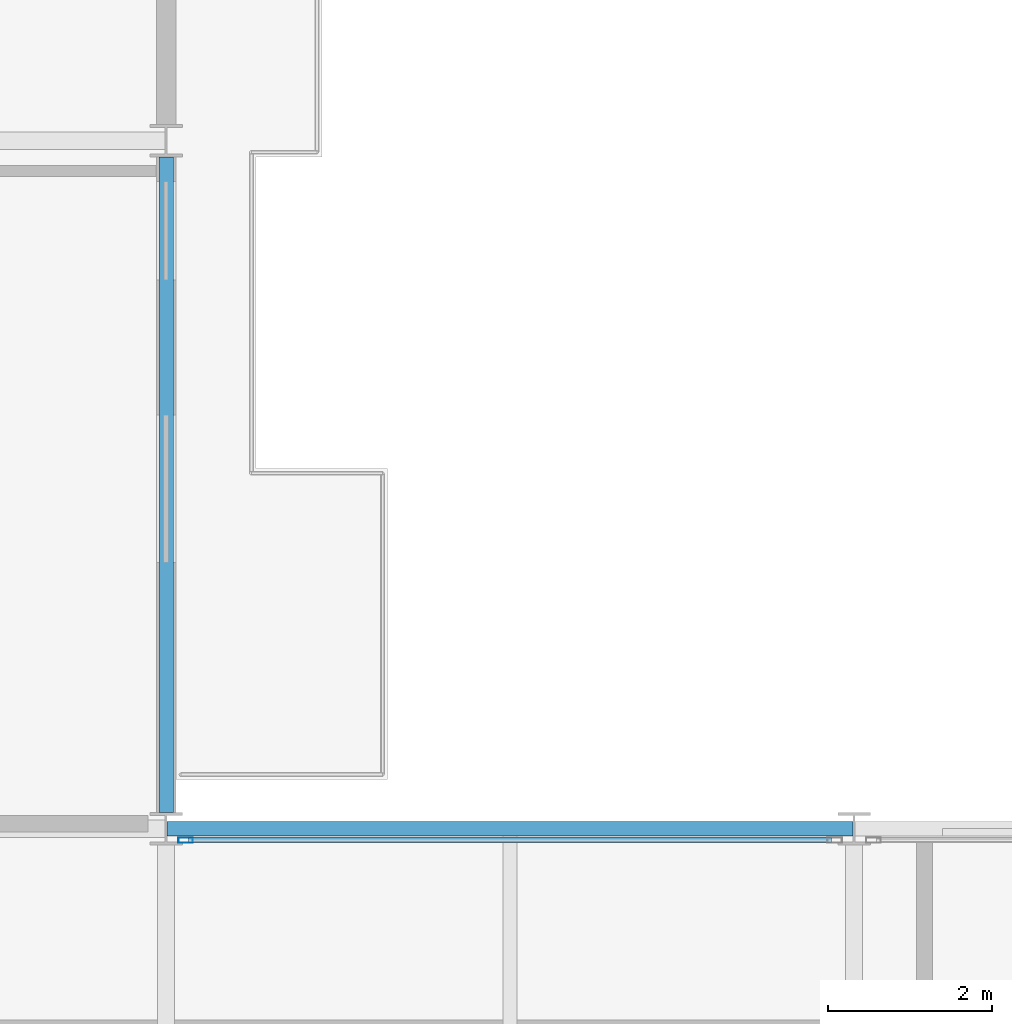
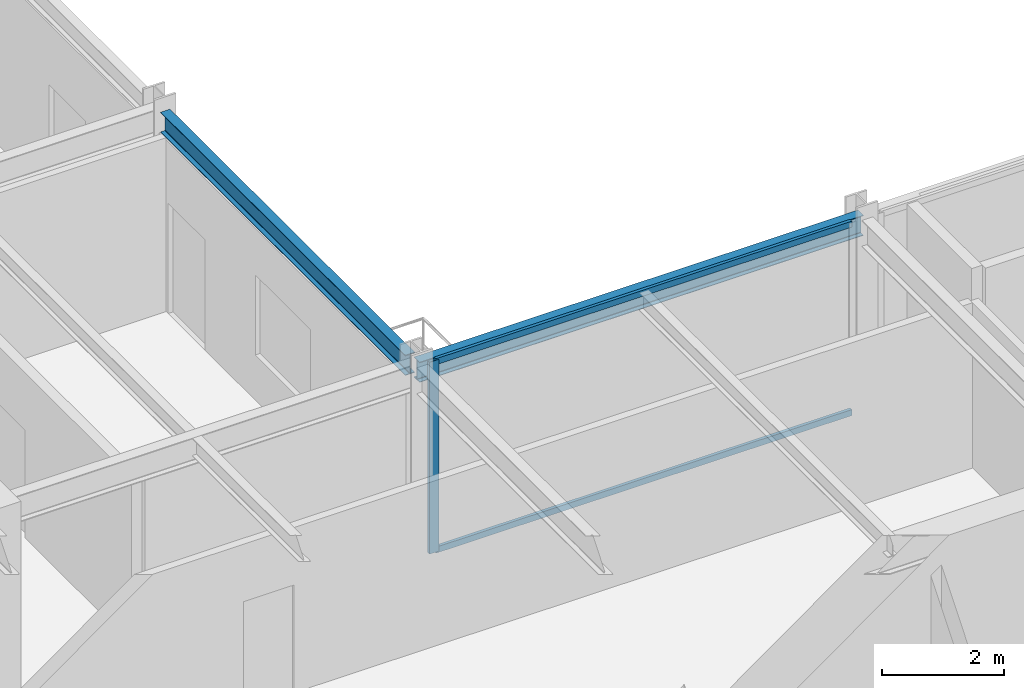
# One storey, part 12 of 29: 3 members, 2 beams, 1 element without a shape of its own.
"""IFC4 building model written with IfcOpenShell, lengths in metres."""

from ifc_helpers import new_model, si_unit, direction, frame, origin, origin_2d, place, context, subcontext, project, spatial, hollow_rectangle, i_section, extrude, material, layer, layer_set, material_profile, profile_set, type_object, element, aggregate, save


model = new_model("IFC4")

# Units and contexts
model_context = context("Model", 3, precision=1e-05, world=origin(), true_north=direction((0.0, 1.0)))
body_context = subcontext(model_context, "Body", "Model", "MODEL_VIEW")
ifc_project = project(units=[si_unit("LENGTHUNIT", "METRE"), si_unit("AREAUNIT", "SQUARE_METRE"), si_unit("VOLUMEUNIT", "CUBIC_METRE"), si_unit("PLANEANGLEUNIT", "RADIAN"), si_unit("MASSUNIT", "GRAM", prefix="KILO")], contexts=[model_context])

# Site, building, storey
site_placement = place(None, origin())
site = spatial("IfcSite", under=ifc_project, at=site_placement, CompositionType="ELEMENT")
building_placement = place(site_placement, origin())
building = spatial("IfcBuilding", under=site, at=building_placement, Name="Nerrivon Quay Data Exchange", CompositionType="ELEMENT")
storey_placement = place(building_placement, frame((0.0, 0.0, 133.60009765625)))
storey = spatial("IfcBuildingStorey", under=building, at=storey_placement, Name="L31", CompositionType="ELEMENT", Elevation=133.60009765625)

# Beams
ifc_material_1 = material(Name="Steel Grade 350", Category="steel")
ifc_material_profile_1 = material_profile(ifc_material_1, i_section(OverallWidth=0.177978515625, OverallDepth=0.403076171875, WebThickness=0.007568359375, FlangeThickness=0.010986328125, FilletRadius=0.011474609375, at=origin_2d()), Name="410UB53.7")
ifc_profile_set_1 = profile_set([ifc_material_profile_1], Name="Steel Grade 350")
beam_type = type_object("IfcBeamType", Name="BM-SP2-410UB54", PredefinedType="SPANDREL", material=ifc_profile_set_1)
beam_1_placement = place(storey_placement, frame((25.21240234375, 25.199951171875, 3.623291015625), z_axis=(1.0, 0.0, 0.0), x_axis=(0.0, 1.0, 0.0)))
element("IfcBeam", 1, at=beam_1_placement, inside=storey, type_object=beam_type, Name="L31 EW Girder Y=25.2 (25.2..33.6)", PredefinedType="SPANDREL", context=body_context, shape_type="SweptSolid", body=[
    extrude(i_section(OverallWidth=0.177978515625, OverallDepth=0.403076171875, WebThickness=0.007568359375, FlangeThickness=0.010986328125, FilletRadius=0.011474609375, at=origin_2d()), origin(), (0.0, 0.0, 1.0), 8.375),
])
beam_2_placement = place(storey_placement, frame((25.199951171875, 25.39990234375, 3.623291015625), z_axis=(0.0, 1.0, 0.0), x_axis=(-1.0, 0.0, 0.0)))
element("IfcBeam", 2, at=beam_2_placement, inside=storey, type_object=beam_type, Name="L31 NS Girder X=25.2 (25.2..33.6)", PredefinedType="SPANDREL", context=body_context, shape_type="SweptSolid", body=[
    extrude(i_section(OverallWidth=0.177978515625, OverallDepth=0.403076171875, WebThickness=0.007568359375, FlangeThickness=0.010986328125, FilletRadius=0.011474609375, at=origin_2d()), origin(), (0.0, 0.0, 1.0), 8.0),
])

# Curtain wall, members
ifc_material_2 = material(Name="Anodised aluminium 6063-T6", Category="aluminium")
ifc_layer = layer(ifc_material_2, 0.2099609375)
ifc_layer_set = layer_set([ifc_layer], Name="Anodised aluminium 6063-T6")
curtain_wall_type = type_object("IfcCurtainWallType", Name="CW-SYS-02", PredefinedType="NOTDEFINED", material=ifc_layer_set)
curtain_wall_placement = place(storey_placement, origin())
curtain_wall = element("IfcCurtainWall", 3, at=curtain_wall_placement, inside=storey, type_object=curtain_wall_type, Name="L31 Unitised Curtain Wall 26", PredefinedType="NOTDEFINED")
ifc_material_profile_2 = material_profile(ifc_material_2, hollow_rectangle(XDim=0.06494140625, YDim=0.179931640625, WallThickness=0.00341796875, at=origin_2d()), Name="ALU-MULL-180x65")
ifc_profile_set_2 = profile_set([ifc_material_profile_2], Name="Anodised aluminium 6063-T6")
member_type_1 = type_object("IfcMemberType", Name="CWM-180x65", PredefinedType="MULLION", material=ifc_profile_set_2)
member_1_placement = place(storey_placement, frame((25.4375, 25.06005859375, 0.0), z_axis=(0.0, 0.0, 1.0), x_axis=(0.0, 1.0, 0.0)))
member_1 = element("IfcMember", 4, at=member_1_placement, type_object=member_type_1, Name="CW02 mullion 1", PredefinedType="MULLION", context=body_context, shape_type="SweptSolid", body=[
    extrude(hollow_rectangle(XDim=0.06494140625, YDim=0.179931640625, WallThickness=0.00341796875, at=origin_2d()), origin(), (0.0, 0.0, 1.0), 3.824951171875),
])
ifc_material_profile_3 = material_profile(ifc_material_2, hollow_rectangle(XDim=0.06005859375, YDim=0.1201171875, WallThickness=0.003173828125, at=origin_2d()), Name="ALU-TRAN-120x60")
ifc_profile_set_3 = profile_set([ifc_material_profile_3], Name="Anodised aluminium 6063-T6")
member_type_2 = type_object("IfcMemberType", Name="CWT-120x60", PredefinedType="USERDEFINED", material=ifc_profile_set_3)
member_2_placement = place(storey_placement, frame((25.47509765625, 25.06005859375, 0.032470703125), z_axis=(1.0, 0.0, 0.0), x_axis=(0.0, 1.0, 0.0)))
member_2 = element("IfcMember", 5, at=member_2_placement, type_object=member_type_2, Name="CW02 transom 1.1", ObjectType="TRANSOM", PredefinedType="USERDEFINED", context=body_context, shape_type="SweptSolid", body=[
    extrude(hollow_rectangle(XDim=0.06005859375, YDim=0.1201171875, WallThickness=0.003173828125, at=origin_2d()), origin(), (0.0, 0.0, 1.0), 7.849853515625),
])
member_3_placement = place(storey_placement, frame((25.47509765625, 25.06005859375, 3.79248046875), z_axis=(1.0, 0.0, 0.0), x_axis=(0.0, 1.0, 0.0)))
member_3 = element("IfcMember", 6, at=member_3_placement, type_object=member_type_2, Name="CW02 transom 1.2", ObjectType="TRANSOM", PredefinedType="USERDEFINED", context=body_context, shape_type="SweptSolid", body=[
    extrude(hollow_rectangle(XDim=0.06005859375, YDim=0.1201171875, WallThickness=0.003173828125, at=origin_2d()), origin(), (0.0, 0.0, 1.0), 7.849853515625),
])
aggregate(curtain_wall, [member_1, member_2, member_3])

save(model, "model.ifc")
